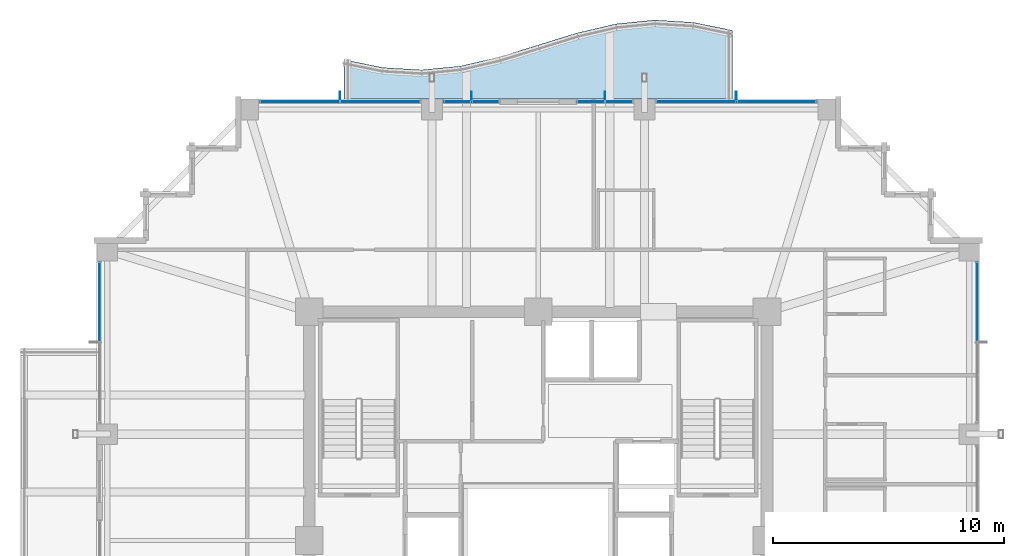
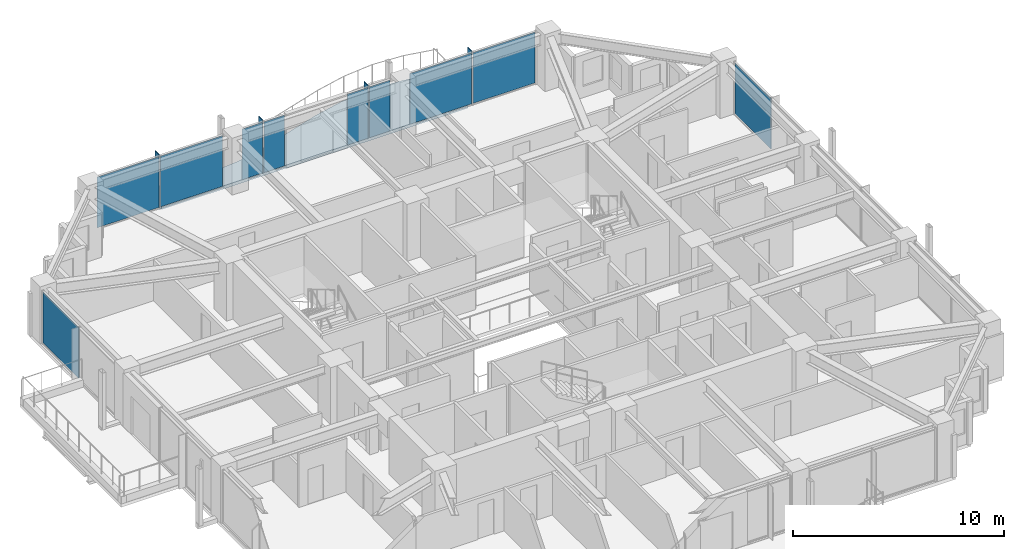
# One storey, part 26 of 34: 14 plates, 1 slab, 6 elements without a shape of their own.
"""IFC4 building model written with IfcOpenShell, lengths in metres."""

from ifc_helpers import new_model, si_unit, direction, frame, origin, origin_2d, place, context, subcontext, project, spatial, polyline, rectangle, outline, extrude, material, layer, layer_set, type_object, element, aggregate, save


model = new_model("IFC4")

# Units and contexts
model_context = context("Model", 3, precision=1e-05, world=origin(), true_north=direction((0.0, 1.0)))
body_context = subcontext(model_context, "Body", "Model", "MODEL_VIEW")
ifc_project = project(units=[si_unit("LENGTHUNIT", "METRE"), si_unit("AREAUNIT", "SQUARE_METRE"), si_unit("VOLUMEUNIT", "CUBIC_METRE"), si_unit("PLANEANGLEUNIT", "RADIAN"), si_unit("MASSUNIT", "GRAM", prefix="KILO")], contexts=[model_context])

# Site, building, storey
site_placement = place(None, origin())
site = spatial("IfcSite", under=ifc_project, at=site_placement, CompositionType="ELEMENT")
building_placement = place(site_placement, origin())
building = spatial("IfcBuilding", under=site, at=building_placement, Name="Kolvaren Belvedere", CompositionType="ELEMENT")
storey_placement = place(building_placement, frame((0.0, 0.0, 166.800048828125)))
storey = spatial("IfcBuildingStorey", under=building, at=storey_placement, Name="L48", CompositionType="ELEMENT", Elevation=166.800048828125)

# Curtain wall, plate
ifc_material_1 = material(Name="Anodised pale-metal aluminium AA 6063-T6", Category="aluminium")
curtain_wall_type = type_object("IfcCurtainWallType", Name="CW-Z3-WAIST", PredefinedType="NOTDEFINED", material=ifc_material_1)
curtain_wall_1_placement = place(storey_placement, origin())
curtain_wall_1 = element("IfcCurtainWall", 1, at=curtain_wall_1_placement, inside=storey, type_object=curtain_wall_type, Name="L48 Unitised Curtain Wall FCW-L48-E-B1", PredefinedType="NOTDEFINED")
ifc_material_2 = material(Name="Low-iron triple insulated glass", Category="glass")
ifc_layer_1 = layer(ifc_material_2, 0.028076171875)
ifc_layer_set_1 = layer_set([ifc_layer_1], Name="Low-iron triple insulated glass")
plate_type_1 = type_object("IfcPlateType", Name="CW-PNL-VIS28", PredefinedType="CURTAIN_PANEL", material=ifc_layer_set_1)
plate_1_placement = place(storey_placement, frame((18.97998046875, 10.311279296875, 0.080078125), z_axis=(0.0, 0.0, 1.0), x_axis=(0.0, -1.0, 0.0)))
plate_1 = element("IfcPlate", 2, at=plate_1_placement, type_object=plate_type_1, Name="FCW-L48-E-B1 Vision Glazing Panel 1", PredefinedType="CURTAIN_PANEL", context=body_context, shape_type="SweptSolid", body=[
    extrude(rectangle(XDim=3.392578125, YDim=0.028076171875, at=origin_2d()), origin(), (0.0, 0.0, 1.0), 2.93994140625),
])
aggregate(curtain_wall_1, [plate_1])

# Curtain wall, plates
curtain_wall_2_placement = place(storey_placement, origin())
curtain_wall_2 = element("IfcCurtainWall", 3, at=curtain_wall_2_placement, inside=storey, type_object=curtain_wall_type, Name="L48 Unitised Curtain Wall FCW-L48-N1-B1", PredefinedType="NOTDEFINED")
plate_2_placement = place(storey_placement, frame((-10.311279296875, 18.97998046875, 0.080078125), z_axis=(0.0, 0.0, 1.0), x_axis=(1.0, 0.0, 0.0)))
plate_2 = element("IfcPlate", 4, at=plate_2_placement, type_object=plate_type_1, Name="FCW-L48-N1-B1 Vision Glazing Panel 1", PredefinedType="CURTAIN_PANEL", context=body_context, shape_type="SweptSolid", body=[
    extrude(rectangle(XDim=3.392578125, YDim=0.028076171875, at=origin_2d()), origin(), (0.0, 0.0, 1.0), 2.93994140625),
])
plate_3_placement = place(storey_placement, frame((-6.8388671875, 18.97998046875, 0.080078125), z_axis=(0.0, 0.0, 1.0), x_axis=(1.0, 0.0, 0.0)))
plate_3 = element("IfcPlate", 5, at=plate_3_placement, type_object=plate_type_1, Name="FCW-L48-N1-B1 Vision Glazing Panel 2", PredefinedType="CURTAIN_PANEL", context=body_context, shape_type="SweptSolid", body=[
    extrude(rectangle(XDim=3.392578125, YDim=0.028076171875, at=origin_2d()), origin(), (0.0, 0.0, 1.0), 2.93994140625),
])
aggregate(curtain_wall_2, [plate_2, plate_3])

curtain_wall_3_placement = place(storey_placement, origin())
curtain_wall_3 = element("IfcCurtainWall", 6, at=curtain_wall_3_placement, inside=storey, type_object=curtain_wall_type, Name="L48 Unitised Curtain Wall FCW-L48-N1-B2", PredefinedType="NOTDEFINED")
plate_4_placement = place(storey_placement, frame((-3.4931640625, 18.97998046875, 0.080078125), z_axis=(0.0, 0.0, 1.0), x_axis=(1.0, 0.0, 0.0)))
plate_4 = element("IfcPlate", 7, at=plate_4_placement, type_object=plate_type_1, Name="FCW-L48-N1-B2 Vision Glazing Panel 1", PredefinedType="CURTAIN_PANEL", context=body_context, shape_type="SweptSolid", body=[
    extrude(rectangle(XDim=1.12890625, YDim=0.028076171875, at=origin_2d()), origin(), (0.0, 0.0, 1.0), 2.93994140625),
])
plate_5_placement = place(storey_placement, frame((-2.284423828125, 18.97998046875, 0.080078125), z_axis=(0.0, 0.0, 1.0), x_axis=(1.0, 0.0, 0.0)))
plate_5 = element("IfcPlate", 8, at=plate_5_placement, type_object=plate_type_1, Name="FCW-L48-N1-B2 Vision Glazing Panel 2", PredefinedType="CURTAIN_PANEL", context=body_context, shape_type="SweptSolid", body=[
    extrude(rectangle(XDim=1.12890625, YDim=0.028076171875, at=origin_2d()), origin(), (0.0, 0.0, 1.0), 2.93994140625),
])
aggregate(curtain_wall_3, [plate_4, plate_5])

curtain_wall_4_placement = place(storey_placement, origin())
curtain_wall_4 = element("IfcCurtainWall", 9, at=curtain_wall_4_placement, inside=storey, type_object=curtain_wall_type, Name="L48 Unitised Curtain Wall FCW-L48-N2-B1", PredefinedType="NOTDEFINED")
plate_6_placement = place(storey_placement, frame((2.284423828125, 18.97998046875, 0.080078125), z_axis=(0.0, 0.0, 1.0), x_axis=(1.0, 0.0, 0.0)))
plate_6 = element("IfcPlate", 10, at=plate_6_placement, type_object=plate_type_1, Name="FCW-L48-N2-B1 Vision Glazing Panel 1", PredefinedType="CURTAIN_PANEL", context=body_context, shape_type="SweptSolid", body=[
    extrude(rectangle(XDim=1.12890625, YDim=0.028076171875, at=origin_2d()), origin(), (0.0, 0.0, 1.0), 2.93994140625),
])
plate_7_placement = place(storey_placement, frame((3.4931640625, 18.97998046875, 0.080078125), z_axis=(0.0, 0.0, 1.0), x_axis=(1.0, 0.0, 0.0)))
plate_7 = element("IfcPlate", 11, at=plate_7_placement, type_object=plate_type_1, Name="FCW-L48-N2-B1 Vision Glazing Panel 2", PredefinedType="CURTAIN_PANEL", context=body_context, shape_type="SweptSolid", body=[
    extrude(rectangle(XDim=1.12890625, YDim=0.028076171875, at=origin_2d()), origin(), (0.0, 0.0, 1.0), 2.93994140625),
])
aggregate(curtain_wall_4, [plate_6, plate_7])

curtain_wall_5_placement = place(storey_placement, origin())
curtain_wall_5 = element("IfcCurtainWall", 12, at=curtain_wall_5_placement, inside=storey, type_object=curtain_wall_type, Name="L48 Unitised Curtain Wall FCW-L48-N2-B2", PredefinedType="NOTDEFINED")
plate_8_placement = place(storey_placement, frame((6.8388671875, 18.97998046875, 0.080078125), z_axis=(0.0, 0.0, 1.0), x_axis=(1.0, 0.0, 0.0)))
plate_8 = element("IfcPlate", 13, at=plate_8_placement, type_object=plate_type_1, Name="FCW-L48-N2-B2 Vision Glazing Panel 1", PredefinedType="CURTAIN_PANEL", context=body_context, shape_type="SweptSolid", body=[
    extrude(rectangle(XDim=3.392578125, YDim=0.028076171875, at=origin_2d()), origin(), (0.0, 0.0, 1.0), 2.93994140625),
])
plate_9_placement = place(storey_placement, frame((10.311279296875, 18.97998046875, 0.080078125), z_axis=(0.0, 0.0, 1.0), x_axis=(1.0, 0.0, 0.0)))
plate_9 = element("IfcPlate", 14, at=plate_9_placement, type_object=plate_type_1, Name="FCW-L48-N2-B2 Vision Glazing Panel 2", PredefinedType="CURTAIN_PANEL", context=body_context, shape_type="SweptSolid", body=[
    extrude(rectangle(XDim=3.392578125, YDim=0.028076171875, at=origin_2d()), origin(), (0.0, 0.0, 1.0), 2.93994140625),
])
aggregate(curtain_wall_5, [plate_8, plate_9])

# Curtain wall, plate
curtain_wall_6_placement = place(storey_placement, origin())
curtain_wall_6 = element("IfcCurtainWall", 15, at=curtain_wall_6_placement, inside=storey, type_object=curtain_wall_type, Name="L48 Unitised Curtain Wall FCW-L48-W2", PredefinedType="NOTDEFINED")
plate_10_placement = place(storey_placement, frame((-18.97998046875, 10.311279296875, 0.080078125), z_axis=(0.0, 0.0, 1.0), x_axis=(0.0, 1.0, 0.0)))
plate_10 = element("IfcPlate", 16, at=plate_10_placement, type_object=plate_type_1, Name="FCW-L48-W2 Vision Glazing Panel 2", PredefinedType="CURTAIN_PANEL", context=body_context, shape_type="SweptSolid", body=[
    extrude(rectangle(XDim=3.392578125, YDim=0.028076171875, at=origin_2d()), origin(), (0.0, 0.0, 1.0), 2.93994140625),
])
aggregate(curtain_wall_6, [plate_10])

# Plates
ifc_material_3 = material(Name="Anodised pale-metal aluminium AA 6063-T6", Category="aluminium")
ifc_layer_2 = layer(ifc_material_3, 0.033935546875)
ifc_layer_set_2 = layer_set([ifc_layer_2], Name="Anodised pale-metal aluminium AA 6063-T6")
plate_type_2 = type_object("IfcPlateType", Name="FIN-VERT-380", PredefinedType="USERDEFINED", material=ifc_layer_set_2)
for number, where, z_axis, x_axis, name in (
    (17, (-8.574951171875, 19.219970703125, 0.0), (0.0, 0.0, 1.0), (0.0, 1.0, 0.0), "L48 Pale-Metal Vertical Shading Fin FCW-L48-N1-B1-1"),
    (18, (-2.888671875, 19.219970703125, 0.0), (0.0, 0.0, 1.0), (0.0, 1.0, 0.0), "L48 Pale-Metal Vertical Shading Fin FCW-L48-N1-B2-1"),
    (19, (2.888671875, 19.219970703125, 0.0), (0.0, 0.0, 1.0), (0.0, 1.0, 0.0), "L48 Pale-Metal Vertical Shading Fin FCW-L48-N2-B1-1"),
    (20, (8.574951171875, 19.219970703125, 0.0), (0.0, 0.0, 1.0), (0.0, 1.0, 0.0), "L48 Pale-Metal Vertical Shading Fin FCW-L48-N2-B2-1"),
):
    element("IfcPlate", number, at=place(storey_placement, frame(where, z_axis=z_axis, x_axis=x_axis)), inside=storey, type_object=plate_type_2, Name=name, ObjectType="VERTICAL FIN", PredefinedType="USERDEFINED", context=body_context, shape_type="SweptSolid", body=[
        extrude(rectangle(XDim=0.3798828125, YDim=0.033935546875, at=origin_2d()), origin(), (0.0, 0.0, 1.0), 3.10009765625),
    ])

# Slab
ifc_material_4 = material(Name="Concrete C50/60", Category="concrete")
ifc_layer_3 = layer(ifc_material_4, 0.179931640625)
ifc_layer_set_3 = layer_set([ifc_layer_3], Name="Concrete C50/60")
slab_type = type_object("IfcSlabType", Name="SL-BAL-180", PredefinedType="FLOOR", material=ifc_layer_set_3)
slab_placement = place(storey_placement, frame((0.0, 0.0, -0.199951171875)))
element("IfcSlab", 21, at=slab_placement, inside=storey, type_object=slab_type, Name="L48 Planted Balcony BAL-N", PredefinedType="FLOOR", context=body_context, shape_type="SweptSolid", body=[
    extrude(outline(polyline([(-8.39990234375, 19.10009765625), (-6.719970703125, 19.10009765625), (-5.0400390625, 19.10009765625), (-3.360107421875, 19.10009765625), (-1.679931640625, 19.10009765625), (0.0, 19.10009765625), (1.679931640625, 19.10009765625), (3.360107421875, 19.10009765625), (5.0400390625, 19.10009765625), (6.719970703125, 19.10009765625), (8.39990234375, 19.10009765625), (8.39990234375, 22.07470703125), (6.719970703125, 22.417236328125), (5.0400390625, 22.52001953125), (3.360107421875, 22.351806640625), (1.679931640625, 21.960205078125), (0.0, 21.43994140625), (-1.679931640625, 20.919677734375), (-3.360107421875, 20.528076171875), (-5.0400390625, 20.362060546875), (-6.719970703125, 20.462890625), (-8.39990234375, 20.80517578125), (-8.39990234375, 19.10009765625)])), origin(), (0.0, 0.0, 1.0), 0.179931640625),
])

save(model, "model.ifc")
